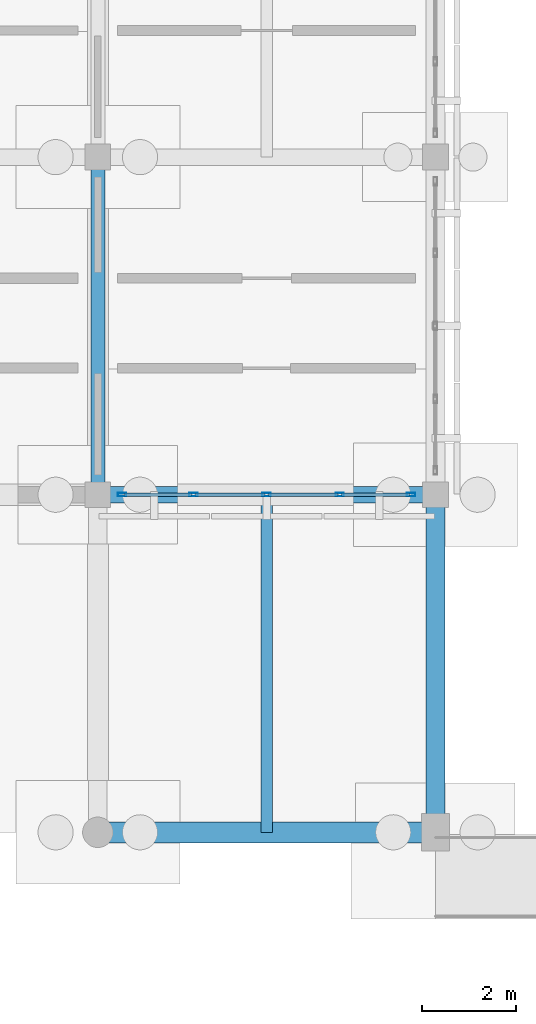
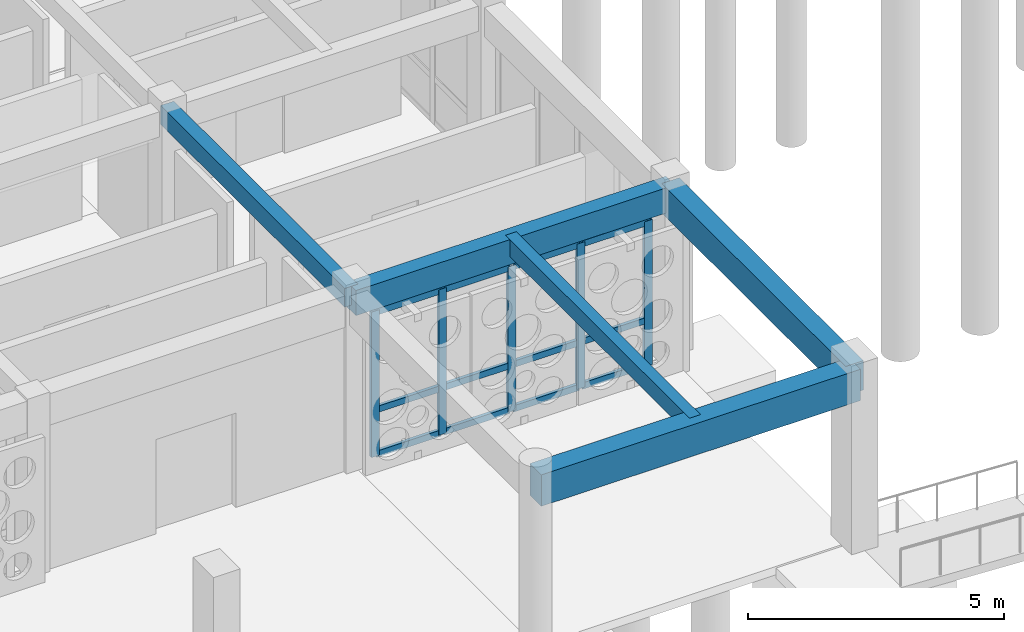
# One storey, part 22 of 111: 17 members, 5 beams, 1 element without a shape of its own.
"""IFC4 building model written with IfcOpenShell, lengths in metres."""

from ifc_helpers import new_model, si_unit, direction, frame, origin, origin_2d, place, context, subcontext, project, spatial, rectangle, hollow_rectangle, extrude, material, material_profile, profile_set, type_object, element, aggregate, save


model = new_model("IFC4")

# Units and contexts
model_context = context("Model", 3, precision=1e-05, world=origin(), true_north=direction((0.0, 1.0)))
body_context = subcontext(model_context, "Body", "Model", "MODEL_VIEW")
ifc_project = project(units=[si_unit("LENGTHUNIT", "METRE"), si_unit("AREAUNIT", "SQUARE_METRE"), si_unit("VOLUMEUNIT", "CUBIC_METRE"), si_unit("PLANEANGLEUNIT", "RADIAN"), si_unit("MASSUNIT", "GRAM", prefix="KILO")], contexts=[model_context])

# Site, building, storey
site_placement = place(None, origin())
site = spatial("IfcSite", under=ifc_project, at=site_placement, CompositionType="ELEMENT")
building_placement = place(site_placement, origin())
building = spatial("IfcBuilding", under=site, at=building_placement, Name="Aldebral Square Health Centre", CompositionType="ELEMENT")
storey_placement = place(building_placement, origin())
storey = spatial("IfcBuildingStorey", under=building, at=storey_placement, Name="L00", CompositionType="ELEMENT", Elevation=0.0)

# Beams
ifc_material_1 = material(Name="Concrete C40/50", Category="concrete")
ifc_material_profile_1 = material_profile(ifc_material_1, rectangle(XDim=0.35009765625, YDim=0.60009765625, at=origin_2d()), Name="RC 350x600")
ifc_profile_set_1 = profile_set([ifc_material_profile_1], Name="Concrete C40/50")
beam_type_1 = type_object("IfcBeamType", Name="BM-B2", PredefinedType="BEAM", material=ifc_profile_set_1)
beam_1_placement = place(storey_placement, frame((100.800048828125, 79.199951171875, 3.919921875), z_axis=(1.0, 0.0, 0.0), x_axis=(0.0, 1.0, 0.0)))
element("IfcBeam", 1, at=beam_1_placement, inside=storey, type_object=beam_type_1, Name="L00 X-beam 15-16/G12", PredefinedType="BEAM", context=body_context, shape_type="SweptSolid", body=[
    extrude(rectangle(XDim=0.35009765625, YDim=0.60009765625, at=origin_2d()), origin(), (0.0, 0.0, 1.0), 7.199951171875),
])
ifc_material_profile_2 = material_profile(ifc_material_1, rectangle(XDim=0.300048828125, YDim=0.449951171875, at=origin_2d()), Name="RC 300x450")
ifc_profile_set_2 = profile_set([ifc_material_profile_2], Name="Concrete C40/50")
beam_type_2 = type_object("IfcBeamType", Name="BM-B5", PredefinedType="BEAM", material=ifc_profile_set_2)
beam_2_placement = place(storey_placement, frame((100.800048828125, 79.199951171875, 3.9951171875), z_axis=(0.0, 1.0, 0.0), x_axis=(-1.0, 0.0, 0.0)))
element("IfcBeam", 2, at=beam_2_placement, inside=storey, type_object=beam_type_2, Name="L00 Y-beam G15/12-13", PredefinedType="BEAM", context=body_context, shape_type="SweptSolid", body=[
    extrude(rectangle(XDim=0.300048828125, YDim=0.449951171875, at=origin_2d()), origin(), (0.0, 0.0, 1.0), 7.199951171875),
])
ifc_material_profile_3 = material_profile(ifc_material_1, rectangle(XDim=0.25, YDim=0.39990234375, at=origin_2d()), Name="RC 250x400")
ifc_profile_set_3 = profile_set([ifc_material_profile_3], Name="Concrete C40/50")
beam_type_3 = type_object("IfcBeamType", Name="BM-B6", PredefinedType="JOIST", material=ifc_profile_set_3)
beam_3_placement = place(storey_placement, frame((104.39990234375, 72.0, 4.02001953125), z_axis=(0.0, 1.0, 0.0), x_axis=(-1.0, 0.0, 0.0)))
element("IfcBeam", 3, at=beam_3_placement, inside=storey, type_object=beam_type_3, Name="L00 secondary rib 15.11", PredefinedType="JOIST", context=body_context, shape_type="SweptSolid", body=[
    extrude(rectangle(XDim=0.25, YDim=0.39990234375, at=origin_2d()), origin(), (0.0, 0.0, 1.0), 7.199951171875),
])
ifc_material_profile_4 = material_profile(ifc_material_1, rectangle(XDim=0.449951171875, YDim=0.75, at=origin_2d()), Name="RC 450x750")
ifc_profile_set_4 = profile_set([ifc_material_profile_4], Name="Concrete C40/50")
beam_type_4 = type_object("IfcBeamType", Name="BM-G2", PredefinedType="T_BEAM", material=ifc_profile_set_4)
beam_4_placement = place(storey_placement, frame((100.800048828125, 72.0, 3.844970703125), z_axis=(1.0, 0.0, 0.0), x_axis=(0.0, 1.0, 0.0)))
element("IfcBeam", 4, at=beam_4_placement, inside=storey, type_object=beam_type_4, Name="L00 X-beam 15-16/G11", PredefinedType="T_BEAM", context=body_context, shape_type="SweptSolid", body=[
    extrude(rectangle(XDim=0.449951171875, YDim=0.75, at=origin_2d()), origin(), (0.0, 0.0, 1.0), 7.199951171875),
])
ifc_material_profile_5 = material_profile(ifc_material_1, rectangle(XDim=0.39990234375, YDim=0.699951171875, at=origin_2d()), Name="RC 400x700")
ifc_profile_set_5 = profile_set([ifc_material_profile_5], Name="Concrete C40/50")
beam_type_5 = type_object("IfcBeamType", Name="BM-G3", PredefinedType="T_BEAM", material=ifc_profile_set_5)
beam_5_placement = place(storey_placement, frame((108.0, 72.0, 3.8701171875), z_axis=(0.0, 1.0, 0.0), x_axis=(-1.0, 0.0, 0.0)))
element("IfcBeam", 5, at=beam_5_placement, inside=storey, type_object=beam_type_5, Name="L00 Y-beam G16/11-12", PredefinedType="T_BEAM", context=body_context, shape_type="SweptSolid", body=[
    extrude(rectangle(XDim=0.39990234375, YDim=0.699951171875, at=origin_2d()), origin(), (0.0, 0.0, 1.0), 7.199951171875),
])

# Curtain wall, members
ifc_material_2 = material(Name="Aluminium and low-E solar glass", Category="aluminium")
curtain_wall_type = type_object("IfcCurtainWallType", Name="CW-HALL-SYS", PredefinedType="USERDEFINED", material=ifc_material_2)
curtain_wall_placement = place(storey_placement, origin())
curtain_wall = element("IfcCurtainWall", 6, at=curtain_wall_placement, inside=storey, type_object=curtain_wall_type, Name="L00 V1 hall curtain wall L00-V1-14-11-S", ObjectType="HALL_CURTAIN_WALL", PredefinedType="USERDEFINED")
ifc_material_3 = material(Name="Anodised aluminium mullion", Category="aluminium")
ifc_material_profile_6 = material_profile(ifc_material_3, hollow_rectangle(XDim=0.074951171875, YDim=0.179931640625, WallThickness=0.00390625, at=origin_2d()), Name="CWM 75x180x4")
ifc_profile_set_6 = profile_set([ifc_material_profile_6], Name="Anodised aluminium mullion")
member_type_1 = type_object("IfcMemberType", Name="CWM-STD", PredefinedType="MULLION", material=ifc_profile_set_6)
member_1_placement = place(storey_placement, frame((101.3173828125, 79.199951171875, 0.0), z_axis=(0.0, 0.0, 1.0), x_axis=(0.0, 1.0, 0.0)))
member_1 = element("IfcMember", 7, at=member_1_placement, type_object=member_type_1, Name="CW2 mullion 1", PredefinedType="MULLION", context=body_context, shape_type="SweptSolid", body=[
    extrude(hollow_rectangle(XDim=0.074951171875, YDim=0.179931640625, WallThickness=0.00390625, at=origin_2d()), origin(), (0.0, 0.0, 1.0), 3.469970703125),
])
member_2_placement = place(storey_placement, frame((102.840087890625, 79.199951171875, 0.0), z_axis=(0.0, 0.0, 1.0), x_axis=(0.0, 1.0, 0.0)))
member_2 = element("IfcMember", 8, at=member_2_placement, type_object=member_type_1, Name="CW2 mullion 2", PredefinedType="MULLION", context=body_context, shape_type="SweptSolid", body=[
    extrude(hollow_rectangle(XDim=0.074951171875, YDim=0.179931640625, WallThickness=0.00390625, at=origin_2d()), origin(), (0.0, 0.0, 1.0), 3.469970703125),
])
member_3_placement = place(storey_placement, frame((104.39990234375, 79.199951171875, 0.0), z_axis=(0.0, 0.0, 1.0), x_axis=(0.0, 1.0, 0.0)))
member_3 = element("IfcMember", 9, at=member_3_placement, type_object=member_type_1, Name="CW2 mullion 3", PredefinedType="MULLION", context=body_context, shape_type="SweptSolid", body=[
    extrude(hollow_rectangle(XDim=0.074951171875, YDim=0.179931640625, WallThickness=0.00390625, at=origin_2d()), origin(), (0.0, 0.0, 1.0), 3.469970703125),
])
member_4_placement = place(storey_placement, frame((105.9599609375, 79.199951171875, 0.0), z_axis=(0.0, 0.0, 1.0), x_axis=(0.0, 1.0, 0.0)))
member_4 = element("IfcMember", 10, at=member_4_placement, type_object=member_type_1, Name="CW2 mullion 4", PredefinedType="MULLION", context=body_context, shape_type="SweptSolid", body=[
    extrude(hollow_rectangle(XDim=0.074951171875, YDim=0.179931640625, WallThickness=0.00390625, at=origin_2d()), origin(), (0.0, 0.0, 1.0), 3.469970703125),
])
member_5_placement = place(storey_placement, frame((107.482421875, 79.199951171875, 0.0), z_axis=(0.0, 0.0, 1.0), x_axis=(0.0, 1.0, 0.0)))
member_5 = element("IfcMember", 11, at=member_5_placement, type_object=member_type_1, Name="CW2 mullion 5", PredefinedType="MULLION", context=body_context, shape_type="SweptSolid", body=[
    extrude(hollow_rectangle(XDim=0.074951171875, YDim=0.179931640625, WallThickness=0.00390625, at=origin_2d()), origin(), (0.0, 0.0, 1.0), 3.469970703125),
])
ifc_material_4 = material(Name="Anodised aluminium transom", Category="aluminium")
ifc_material_profile_7 = material_profile(ifc_material_4, hollow_rectangle(XDim=0.074951171875, YDim=0.14990234375, WallThickness=0.00390625, at=origin_2d()), Name="CWT 75x150x4")
ifc_profile_set_7 = profile_set([ifc_material_profile_7], Name="Anodised aluminium transom")
member_type_2 = type_object("IfcMemberType", Name="CWT-STD", PredefinedType="USERDEFINED", material=ifc_profile_set_7)
member_6_placement = place(storey_placement, frame((101.35498046875, 79.199951171875, 0.03759765625), z_axis=(1.0, 0.0, 0.0), x_axis=(0.0, 1.0, 0.0)))
member_6 = element("IfcMember", 12, at=member_6_placement, type_object=member_type_2, Name="CW2 transom 1.1", ObjectType="TRANSOM", PredefinedType="USERDEFINED", context=body_context, shape_type="SweptSolid", body=[
    extrude(hollow_rectangle(XDim=0.074951171875, YDim=0.14990234375, WallThickness=0.00390625, at=origin_2d()), origin(), (0.0, 0.0, 1.0), 1.447509765625),
])
member_7_placement = place(storey_placement, frame((101.35498046875, 79.199951171875, 1.10009765625), z_axis=(1.0, 0.0, 0.0), x_axis=(0.0, 1.0, 0.0)))
member_7 = element("IfcMember", 13, at=member_7_placement, type_object=member_type_2, Name="CW2 transom 1.2", ObjectType="TRANSOM", PredefinedType="USERDEFINED", context=body_context, shape_type="SweptSolid", body=[
    extrude(hollow_rectangle(XDim=0.074951171875, YDim=0.14990234375, WallThickness=0.00390625, at=origin_2d()), origin(), (0.0, 0.0, 1.0), 1.447509765625),
])
member_8_placement = place(storey_placement, frame((101.35498046875, 79.199951171875, 3.4326171875), z_axis=(1.0, 0.0, 0.0), x_axis=(0.0, 1.0, 0.0)))
member_8 = element("IfcMember", 14, at=member_8_placement, type_object=member_type_2, Name="CW2 transom 1.3", ObjectType="TRANSOM", PredefinedType="USERDEFINED", context=body_context, shape_type="SweptSolid", body=[
    extrude(hollow_rectangle(XDim=0.074951171875, YDim=0.14990234375, WallThickness=0.00390625, at=origin_2d()), origin(), (0.0, 0.0, 1.0), 1.447509765625),
])
member_9_placement = place(storey_placement, frame((102.87744140625, 79.199951171875, 0.03759765625), z_axis=(1.0, 0.0, 0.0), x_axis=(0.0, 1.0, 0.0)))
member_9 = element("IfcMember", 15, at=member_9_placement, type_object=member_type_2, Name="CW2 transom 2.1", ObjectType="TRANSOM", PredefinedType="USERDEFINED", context=body_context, shape_type="SweptSolid", body=[
    extrude(hollow_rectangle(XDim=0.074951171875, YDim=0.14990234375, WallThickness=0.00390625, at=origin_2d()), origin(), (0.0, 0.0, 1.0), 1.485107421875),
])
member_10_placement = place(storey_placement, frame((102.87744140625, 79.199951171875, 1.10009765625), z_axis=(1.0, 0.0, 0.0), x_axis=(0.0, 1.0, 0.0)))
member_10 = element("IfcMember", 16, at=member_10_placement, type_object=member_type_2, Name="CW2 transom 2.2", ObjectType="TRANSOM", PredefinedType="USERDEFINED", context=body_context, shape_type="SweptSolid", body=[
    extrude(hollow_rectangle(XDim=0.074951171875, YDim=0.14990234375, WallThickness=0.00390625, at=origin_2d()), origin(), (0.0, 0.0, 1.0), 1.485107421875),
])
member_11_placement = place(storey_placement, frame((102.87744140625, 79.199951171875, 3.4326171875), z_axis=(1.0, 0.0, 0.0), x_axis=(0.0, 1.0, 0.0)))
member_11 = element("IfcMember", 17, at=member_11_placement, type_object=member_type_2, Name="CW2 transom 2.3", ObjectType="TRANSOM", PredefinedType="USERDEFINED", context=body_context, shape_type="SweptSolid", body=[
    extrude(hollow_rectangle(XDim=0.074951171875, YDim=0.14990234375, WallThickness=0.00390625, at=origin_2d()), origin(), (0.0, 0.0, 1.0), 1.485107421875),
])
member_12_placement = place(storey_placement, frame((104.4375, 79.199951171875, 0.03759765625), z_axis=(1.0, 0.0, 0.0), x_axis=(0.0, 1.0, 0.0)))
member_12 = element("IfcMember", 18, at=member_12_placement, type_object=member_type_2, Name="CW2 transom 3.1", ObjectType="TRANSOM", PredefinedType="USERDEFINED", context=body_context, shape_type="SweptSolid", body=[
    extrude(hollow_rectangle(XDim=0.074951171875, YDim=0.14990234375, WallThickness=0.00390625, at=origin_2d()), origin(), (0.0, 0.0, 1.0), 1.485107421875),
])
member_13_placement = place(storey_placement, frame((104.4375, 79.199951171875, 1.10009765625), z_axis=(1.0, 0.0, 0.0), x_axis=(0.0, 1.0, 0.0)))
member_13 = element("IfcMember", 19, at=member_13_placement, type_object=member_type_2, Name="CW2 transom 3.2", ObjectType="TRANSOM", PredefinedType="USERDEFINED", context=body_context, shape_type="SweptSolid", body=[
    extrude(hollow_rectangle(XDim=0.074951171875, YDim=0.14990234375, WallThickness=0.00390625, at=origin_2d()), origin(), (0.0, 0.0, 1.0), 1.485107421875),
])
member_14_placement = place(storey_placement, frame((104.4375, 79.199951171875, 3.4326171875), z_axis=(1.0, 0.0, 0.0), x_axis=(0.0, 1.0, 0.0)))
member_14 = element("IfcMember", 20, at=member_14_placement, type_object=member_type_2, Name="CW2 transom 3.3", ObjectType="TRANSOM", PredefinedType="USERDEFINED", context=body_context, shape_type="SweptSolid", body=[
    extrude(hollow_rectangle(XDim=0.074951171875, YDim=0.14990234375, WallThickness=0.00390625, at=origin_2d()), origin(), (0.0, 0.0, 1.0), 1.485107421875),
])
member_15_placement = place(storey_placement, frame((105.99755859375, 79.199951171875, 0.03759765625), z_axis=(1.0, 0.0, 0.0), x_axis=(0.0, 1.0, 0.0)))
member_15 = element("IfcMember", 21, at=member_15_placement, type_object=member_type_2, Name="CW2 transom 4.1", ObjectType="TRANSOM", PredefinedType="USERDEFINED", context=body_context, shape_type="SweptSolid", body=[
    extrude(hollow_rectangle(XDim=0.074951171875, YDim=0.14990234375, WallThickness=0.00390625, at=origin_2d()), origin(), (0.0, 0.0, 1.0), 1.447509765625),
])
member_16_placement = place(storey_placement, frame((105.99755859375, 79.199951171875, 1.10009765625), z_axis=(1.0, 0.0, 0.0), x_axis=(0.0, 1.0, 0.0)))
member_16 = element("IfcMember", 22, at=member_16_placement, type_object=member_type_2, Name="CW2 transom 4.2", ObjectType="TRANSOM", PredefinedType="USERDEFINED", context=body_context, shape_type="SweptSolid", body=[
    extrude(hollow_rectangle(XDim=0.074951171875, YDim=0.14990234375, WallThickness=0.00390625, at=origin_2d()), origin(), (0.0, 0.0, 1.0), 1.447509765625),
])
member_17_placement = place(storey_placement, frame((105.99755859375, 79.199951171875, 3.4326171875), z_axis=(1.0, 0.0, 0.0), x_axis=(0.0, 1.0, 0.0)))
member_17 = element("IfcMember", 23, at=member_17_placement, type_object=member_type_2, Name="CW2 transom 4.3", ObjectType="TRANSOM", PredefinedType="USERDEFINED", context=body_context, shape_type="SweptSolid", body=[
    extrude(hollow_rectangle(XDim=0.074951171875, YDim=0.14990234375, WallThickness=0.00390625, at=origin_2d()), origin(), (0.0, 0.0, 1.0), 1.447509765625),
])
aggregate(curtain_wall, [member_1, member_2, member_3, member_4, member_5, member_6, member_7, member_8, member_9, member_10, member_11, member_12, member_13, member_14, member_15, member_16, member_17])

save(model, "model.ifc")
